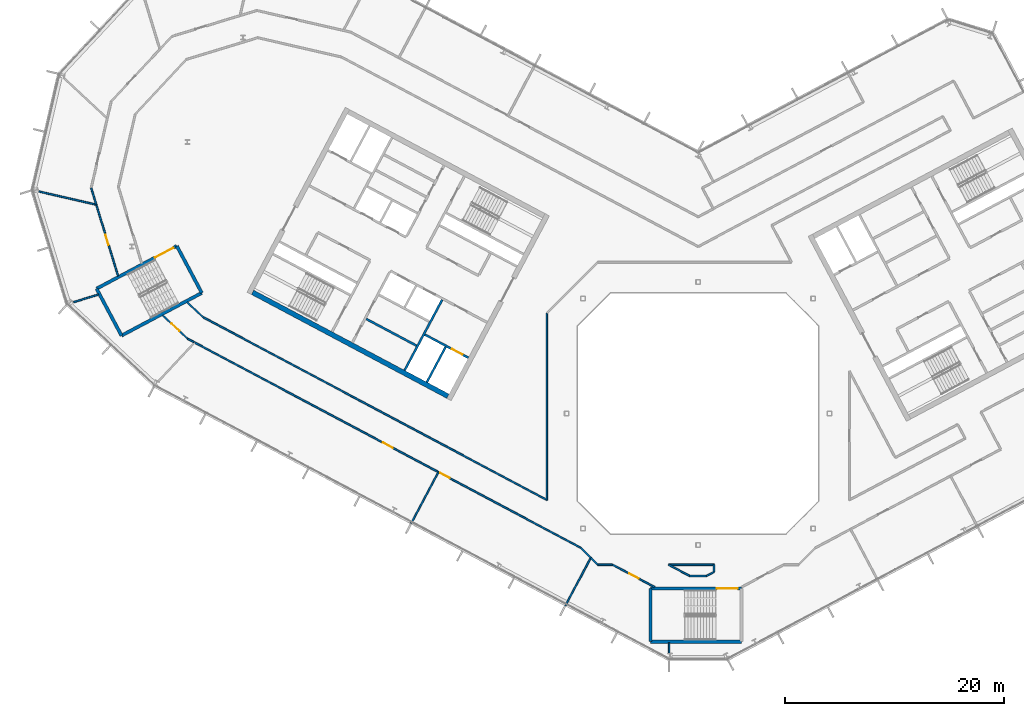
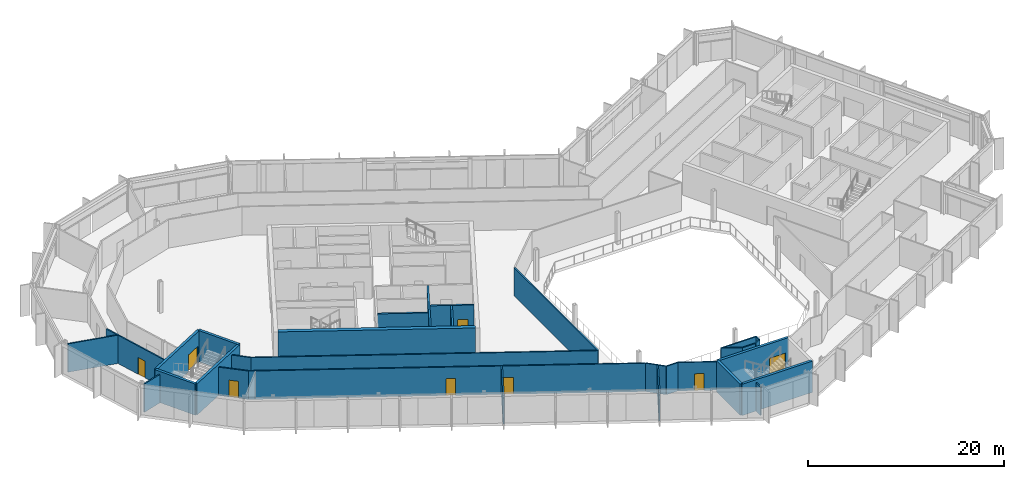
# One storey, part 13 of 26: 34 walls, 8 doors, 8 openings.
"""IFC4 building model written with IfcOpenShell, lengths in metres."""

from ifc_helpers import new_model, si_unit, direction, frame, frame_2d, origin, place, context, subcontext, project, spatial, rectangle, extrude, material, layer, layer_set, type_object, element, fill, save


model = new_model("IFC4")

# Units and contexts
model_context = context("Model", 3, precision=1e-05, world=origin(), true_north=direction((0.0, 1.0)))
body_context = subcontext(model_context, "Body", "Model", "MODEL_VIEW")
ifc_project = project(units=[si_unit("LENGTHUNIT", "METRE"), si_unit("AREAUNIT", "SQUARE_METRE"), si_unit("VOLUMEUNIT", "CUBIC_METRE"), si_unit("PLANEANGLEUNIT", "RADIAN"), si_unit("MASSUNIT", "GRAM", prefix="KILO")], contexts=[model_context])

# Site, building, storey
site_placement = place(None, origin())
site = spatial("IfcSite", under=ifc_project, at=site_placement, CompositionType="ELEMENT")
building_placement = place(site_placement, origin())
building = spatial("IfcBuilding", under=site, at=building_placement, Name="Cormorant Relay Tower", CompositionType="ELEMENT")
storey_placement = place(building_placement, frame((0.0, 0.0, 308.699951171875)))
storey = spatial("IfcBuildingStorey", under=building, at=storey_placement, Name="L70", CompositionType="ELEMENT", Elevation=308.699951171875)

# Walls
ifc_material_1 = material(Name="Concrete 40 MPa", Category="concrete")
ifc_layer_1 = layer(ifc_material_1, 0.199951171875)
ifc_layer_set_1 = layer_set([ifc_layer_1], Name="Core internal wall 200")
wall_type_1 = type_object("IfcWallType", Name="Core internal wall 200", PredefinedType="SOLIDWALL", material=ifc_layer_set_1)
wall_1_placement = place(storey_placement, frame((-25.701904296875, 6.19091796875, 0.0), z_axis=(0.0, 0.0, 1.0), x_axis=(-0.882934506056, 0.469496174655, 0.0)))
element("IfcWall", 1, at=wall_1_placement, inside=storey, type_object=wall_type_1, Name="L70 core A shaft and room wall", PredefinedType="SOLIDWALL", context=body_context, shape_type="SweptSolid", body=[
    extrude(rectangle(XDim=5.199951171875, YDim=0.199951171875, at=frame_2d((2.60009765625, 0.0))), origin(), (0.0, 0.0, 1.0), 3.900146484375),
])
ifc_material_2 = material(Name="Concrete 50 MPa", Category="concrete")
ifc_layer_2 = layer(ifc_material_2, 0.199951171875)
ifc_layer_set_2 = layer_set([ifc_layer_2], Name="Core shaft wall 200")
wall_type_2 = type_object("IfcWallType", Name="Core shaft wall 200", PredefinedType="SHEAR", material=ifc_layer_set_2)
wall_2_placement = place(storey_placement, frame((-23.04296875, 6.07958984375, 0.0), z_axis=(0.0, 0.0, 1.0), x_axis=(-0.469494272526, -0.882935517501, 0.0)))
element("IfcWall", 2, at=wall_2_placement, inside=storey, type_object=wall_type_2, Name="L70 core A shaft wall", PredefinedType="SHEAR", context=body_context, shape_type="SweptSolid", body=[
    extrude(rectangle(XDim=3.64990234375, YDim=0.199951171875, at=frame_2d((1.824951171875, 0.0))), origin(), (0.0, 0.0, 1.0), 3.900146484375),
])
wall_3_placement = place(storey_placement, frame((-23.360107421875, 10.38232421875, 0.0), z_axis=(0.0, 0.0, 1.0), x_axis=(-0.469480409012, -0.88294288918, 0.0)))
element("IfcWall", 3, at=wall_3_placement, inside=storey, type_object=wall_type_2, Name="L70 core A shaft wall", PredefinedType="SHEAR", context=body_context, shape_type="SweptSolid", body=[
    extrude(rectangle(XDim=7.300048828125, YDim=0.199951171875, at=frame_2d((3.64990234375, 0.0))), origin(), (0.0, 0.0, 1.0), 3.900146484375),
])

# Wall, opening, door
wall_4_placement = place(storey_placement, frame((-20.96533203125, 5.088134765625, 0.0), z_axis=(0.0, 0.0, 1.0), x_axis=(-0.882925986334, 0.469512196493, 0.0)))
wall_4 = element("IfcWall", 4, at=wall_4_placement, inside=storey, type_object=wall_type_2, Name="L70 core A shaft wall", PredefinedType="SHEAR", context=body_context, shape_type="SweptSolid", body=[
    extrude(rectangle(XDim=4.5, YDim=0.199951171875, at=frame_2d((2.25, 0.0))), origin(), (0.0, 0.0, 1.0), 3.900146484375),
])
opening_1_placement = place(wall_4_placement, frame((0.60009765625, 0.0, 0.0)))
opening_1 = element("IfcOpeningElement", 5, at=opening_1_placement, cuts=wall_4, Name="Opening LD1-063", PredefinedType="OPENING", context=body_context, shape_type="SweptSolid", body=[
    extrude(rectangle(XDim=1.10009765625, YDim=2.10009765625, at=frame_2d((0.550048828125, 1.050048828125))), frame((0.0, 0.10986328125, 0.0), z_axis=(0.0, -1.0, 0.0), x_axis=(1.0, 0.0, 0.0)), (0.0, 0.0, 1.0), 0.219970703125),
])
ifc_material_3 = material(Name="Stainless steel 316", Category="steel")
door_type_1 = type_object("IfcDoorType", Name="Lift landing door 1100x2100", OperationType="DOUBLE_DOOR_SLIDING", PredefinedType="DOOR", material=ifc_material_3)
door_1_placement = place(opening_1_placement, origin())
door_1 = element("IfcDoor", 6, at=door_1_placement, inside=storey, type_object=door_type_1, Name="FF1 landing door", OperationType="DOUBLE_DOOR_SLIDING", OverallHeight=2.10009765625, OverallWidth=1.10009765625, PredefinedType="DOOR", context=body_context, shape_type="SweptSolid", body=[
    extrude(rectangle(XDim=1.10009765625, YDim=2.10009765625, at=frame_2d((0.550048828125, 1.050048828125))), frame((0.0, 0.02490234375, 0.0), z_axis=(0.0, -1.0, 0.0), x_axis=(1.0, 0.0, 0.0)), (0.0, 0.0, 1.0), 0.050048828125),
])
fill(opening_1, door_1)

# Walls
ifc_material_4 = material(Name="Concrete 50 MPa", Category="concrete")
ifc_layer_3 = layer(ifc_material_4, 0.449951171875)
ifc_layer_set_3 = layer_set([ifc_layer_3], Name="Core wall 450")
wall_type_3 = type_object("IfcWallType", Name="Core wall 450", PredefinedType="SHEAR", material=ifc_layer_set_3)
wall_5_placement = place(storey_placement, frame((-22.83154296875, 1.578369140625, 0.0), z_axis=(0.0, 0.0, 1.0), x_axis=(-0.88294509198, 0.469476266226, 0.0)))
element("IfcWall", 7, at=wall_5_placement, inside=storey, type_object=wall_type_3, Name="L70 core A wall", PredefinedType="SHEAR", context=body_context, shape_type="SweptSolid", body=[
    extrude(rectangle(XDim=20.199951171875, YDim=0.449951171875, at=frame_2d((10.10009765625, 0.0))), origin(), (0.0, 0.0, 1.0), 3.900146484375),
])
ifc_material_5 = material(Name="Gypsum board fire partition")
ifc_layer_4 = layer(ifc_material_5, 0.14990234375)
ifc_layer_set_4 = layer_set([ifc_layer_4], Name="Corridor partition 150 EI 60")
wall_type_4 = type_object("IfcWallType", Name="Corridor partition 150 EI 60", PredefinedType="PARTITIONING", material=ifc_layer_set_4)
wall_6_placement = place(storey_placement, frame((-55.39111328125, 20.580078125, 0.0), z_axis=(0.0, 0.0, 1.0), x_axis=(0.292001611979, -0.956417826372, 0.0)))
element("IfcWall", 8, at=wall_6_placement, inside=storey, type_object=wall_type_4, Name="wall/L70/part/004", PredefinedType="PARTITIONING", context=body_context, shape_type="SweptSolid", body=[
    extrude(rectangle(XDim=1.57275390625, YDim=0.14990234375, at=frame_2d((0.786376953125, 0.0))), origin(), (0.0, 0.0, 1.0), 3.5400390625),
])

# Wall, opening, door
wall_7_placement = place(storey_placement, frame((-52.93701171875, 12.552001953125, 0.0), z_axis=(0.0, 0.0, 1.0), x_axis=(-0.292413096036, 0.956292100389, 0.0)))
wall_7 = element("IfcWall", 9, at=wall_7_placement, inside=storey, type_object=wall_type_4, Name="wall/L70/part/006", PredefinedType="PARTITIONING", context=body_context, shape_type="SweptSolid", body=[
    extrude(rectangle(XDim=6.822021484375, YDim=0.14990234375, at=frame_2d((3.4111328125, 0.0))), origin(), (0.0, 0.0, 1.0), 3.5400390625),
])
opening_2_placement = place(wall_7_placement, frame((2.949951171875, 0.0, 0.0)))
opening_2 = element("IfcOpeningElement", 10, at=opening_2_placement, cuts=wall_7, Name="Opening DS-253", PredefinedType="OPENING", context=body_context, shape_type="SweptSolid", body=[
    extrude(rectangle(XDim=1.0, YDim=2.10009765625, at=frame_2d((0.5, 1.050048828125))), frame((0.0, 0.0849609375, 0.0), z_axis=(0.0, -1.0, 0.0), x_axis=(1.0, 0.0, 0.0)), (0.0, 0.0, 1.0), 0.169921875),
])
ifc_material_6 = material(Name="Timber door leaf", Category="wood")
door_type_2 = type_object("IfcDoorType", Name="Suite door 1000x2100", OperationType="SINGLE_SWING_LEFT", PredefinedType="DOOR", material=ifc_material_6)
door_2_placement = place(opening_2_placement, origin())
door_2 = element("IfcDoor", 11, at=door_2_placement, inside=storey, type_object=door_type_2, Name="door/L70/012", OperationType="SINGLE_SWING_LEFT", OverallHeight=2.10009765625, OverallWidth=1.0, PredefinedType="DOOR", context=body_context, shape_type="SweptSolid", body=[
    extrude(rectangle(XDim=1.0, YDim=2.10009765625, at=frame_2d((0.5, 1.050048828125))), frame((0.0, 0.02490234375, 0.0), z_axis=(0.0, -1.0, 0.0), x_axis=(1.0, 0.0, 0.0)), (0.0, 0.0, 1.0), 0.050048828125),
])
fill(opening_2, door_2)

# Walls
wall_8_placement = place(storey_placement, frame((-13.800048828125, 9.159912109375, 0.0), z_axis=(0.0, 0.0, 1.0), x_axis=(0.0, -1.0, 0.0)))
element("IfcWall", 12, at=wall_8_placement, inside=storey, type_object=wall_type_4, Name="wall/L70/part/023", PredefinedType="PARTITIONING", context=body_context, shape_type="SweptSolid", body=[
    extrude(rectangle(XDim=17.054931640625, YDim=0.14990234375, at=frame_2d((8.52734375, 0.0))), origin(), (0.0, 0.0, 1.0), 3.5400390625),
])
wall_9_placement = place(storey_placement, frame((-13.800048828125, -7.89501953125, 0.0), z_axis=(0.0, 0.0, 1.0), x_axis=(-0.882949728524, 0.469467546161, 0.0)))
element("IfcWall", 13, at=wall_9_placement, inside=storey, type_object=wall_type_4, Name="wall/L70/part/024", PredefinedType="PARTITIONING", context=body_context, shape_type="SweptSolid", body=[
    extrude(rectangle(XDim=35.52734375, YDim=0.14990234375, at=frame_2d((17.763671875, 0.0))), origin(), (0.0, 0.0, 1.0), 3.5400390625),
])
wall_10_placement = place(storey_placement, frame((-45.1689453125, 8.783935546875, 0.0), z_axis=(0.0, 0.0, 1.0), x_axis=(-0.731546653506, 0.681791385795, 0.0)))
element("IfcWall", 14, at=wall_10_placement, inside=storey, type_object=wall_type_4, Name="wall/L70/part/025", PredefinedType="PARTITIONING", context=body_context, shape_type="SweptSolid", body=[
    extrude(rectangle(XDim=2.031494140625, YDim=0.14990234375, at=frame_2d((1.015625, 0.0))), origin(), (0.0, 0.0, 1.0), 3.5400390625),
])
wall_11_placement = place(storey_placement, frame((-45.9970703125, 6.506103515625, 0.0), z_axis=(0.0, 0.0, 1.0), x_axis=(-0.883188174281, 0.469018814986, 0.0)))
element("IfcWall", 15, at=wall_11_placement, inside=storey, type_object=wall_type_4, Name="wall/L70/part/031", PredefinedType="PARTITIONING", context=body_context, shape_type="SweptSolid", body=[
    extrude(rectangle(XDim=0.654296875, YDim=0.14990234375, at=frame_2d((0.3271484375, 0.0))), origin(), (0.0, 0.0, 1.0), 3.5400390625),
])

# Wall, opening, door
wall_12_placement = place(storey_placement, frame((-46.574951171875, 6.81298828125, 0.0), z_axis=(0.0, 0.0, 1.0), x_axis=(-0.731111550609, 0.682257942839, 0.0)))
wall_12 = element("IfcWall", 16, at=wall_12_placement, inside=storey, type_object=wall_type_4, Name="wall/L70/part/032", PredefinedType="PARTITIONING", context=body_context, shape_type="SweptSolid", body=[
    extrude(rectangle(XDim=3.17333984375, YDim=0.14990234375, at=frame_2d((1.586669921875, 0.0))), origin(), (0.0, 0.0, 1.0), 3.5400390625),
])
opening_3_placement = place(wall_12_placement, frame((1.050048828125, 0.0, 0.0)))
opening_3 = element("IfcOpeningElement", 17, at=opening_3_placement, cuts=wall_12, Name="Opening DS-254", PredefinedType="OPENING", context=body_context, shape_type="SweptSolid", body=[
    extrude(rectangle(XDim=1.0, YDim=2.10009765625, at=frame_2d((0.5, 1.050048828125))), frame((0.0, 0.0849609375, 0.0), z_axis=(0.0, -1.0, 0.0), x_axis=(1.0, 0.0, 0.0)), (0.0, 0.0, 1.0), 0.169921875),
])
door_3_placement = place(opening_3_placement, origin())
door_3 = element("IfcDoor", 18, at=door_3_placement, inside=storey, type_object=door_type_2, Name="door/L70/013", OperationType="SINGLE_SWING_RIGHT", OverallHeight=2.10009765625, OverallWidth=1.0, PredefinedType="DOOR", context=body_context, shape_type="SweptSolid", body=[
    extrude(rectangle(XDim=1.0, YDim=2.10009765625, at=frame_2d((0.5, 1.050048828125))), frame((0.0, 0.02490234375, 0.0), z_axis=(0.0, -1.0, 0.0), x_axis=(1.0, 0.0, 0.0)), (0.0, 0.0, 1.0), 0.050048828125),
])
fill(opening_3, door_3)

# Wall, openings, doors
wall_13_placement = place(storey_placement, frame((-10.695068359375, -12.263916015625, 0.0), z_axis=(0.0, 0.0, 1.0), x_axis=(-0.882951614076, 0.469463999899, 0.0)))
wall_13 = element("IfcWall", 19, at=wall_13_placement, inside=storey, type_object=wall_type_4, Name="wall/L70/part/033", PredefinedType="PARTITIONING", context=body_context, shape_type="SweptSolid", body=[
    extrude(rectangle(XDim=39.981689453125, YDim=0.14990234375, at=frame_2d((19.99072265625, 0.0))), origin(), (0.0, 0.0, 1.0), 3.5400390625),
])
opening_4_placement = place(wall_13_placement, frame((19.449951171875, 0.0, 0.0)))
opening_4 = element("IfcOpeningElement", 20, at=opening_4_placement, cuts=wall_13, Name="Opening DS-255", PredefinedType="OPENING", context=body_context, shape_type="SweptSolid", body=[
    extrude(rectangle(XDim=1.0, YDim=2.10009765625, at=frame_2d((0.5, 1.050048828125))), frame((0.0, 0.0849609375, 0.0), z_axis=(0.0, -1.0, 0.0), x_axis=(1.0, 0.0, 0.0)), (0.0, 0.0, 1.0), 0.169921875),
])
opening_5_placement = place(wall_13_placement, frame((13.550048828125, 0.0, 0.0)))
opening_5 = element("IfcOpeningElement", 21, at=opening_5_placement, cuts=wall_13, Name="Opening DS-256", PredefinedType="OPENING", context=body_context, shape_type="SweptSolid", body=[
    extrude(rectangle(XDim=1.0, YDim=2.10009765625, at=frame_2d((0.5, 1.050048828125))), frame((0.0, 0.0849609375, 0.0), z_axis=(0.0, -1.0, 0.0), x_axis=(1.0, 0.0, 0.0)), (0.0, 0.0, 1.0), 0.169921875),
])
door_4_placement = place(opening_4_placement, origin())
door_4 = element("IfcDoor", 22, at=door_4_placement, inside=storey, type_object=door_type_2, Name="door/L70/014", OperationType="SINGLE_SWING_LEFT", OverallHeight=2.10009765625, OverallWidth=1.0, PredefinedType="DOOR", context=body_context, shape_type="SweptSolid", body=[
    extrude(rectangle(XDim=1.0, YDim=2.10009765625, at=frame_2d((0.5, 1.050048828125))), frame((0.0, 0.02490234375, 0.0), z_axis=(0.0, -1.0, 0.0), x_axis=(1.0, 0.0, 0.0)), (0.0, 0.0, 1.0), 0.050048828125),
])
fill(opening_4, door_4)
door_5_placement = place(opening_5_placement, origin())
door_5 = element("IfcDoor", 23, at=door_5_placement, inside=storey, type_object=door_type_2, Name="door/L70/015", OperationType="SINGLE_SWING_RIGHT", OverallHeight=2.10009765625, OverallWidth=1.0, PredefinedType="DOOR", context=body_context, shape_type="SweptSolid", body=[
    extrude(rectangle(XDim=1.0, YDim=2.10009765625, at=frame_2d((0.5, 1.050048828125))), frame((0.0, 0.02490234375, 0.0), z_axis=(0.0, -1.0, 0.0), x_axis=(1.0, 0.0, 0.0)), (0.0, 0.0, 1.0), 0.050048828125),
])
fill(opening_5, door_5)

# Walls
wall_14_placement = place(storey_placement, frame((-9.784912109375, -13.175048828125, 0.0), z_axis=(0.0, 0.0, 1.0), x_axis=(-0.706727533866, 0.707485825212, 0.0)))
element("IfcWall", 24, at=wall_14_placement, inside=storey, type_object=wall_type_4, Name="wall/L70/part/045", PredefinedType="PARTITIONING", context=body_context, shape_type="SweptSolid", body=[
    extrude(rectangle(XDim=1.287841796875, YDim=0.14990234375, at=frame_2d((0.64404296875, 0.0))), origin(), (0.0, 0.0, 1.0), 3.5400390625),
])
wall_15_placement = place(storey_placement, frame((-7.827880859375, -13.800048828125, 0.0), z_axis=(0.0, 0.0, 1.0), x_axis=(-1.0, 0.0, 0.0)))
element("IfcWall", 25, at=wall_15_placement, inside=storey, type_object=wall_type_4, Name="wall/L70/part/046", PredefinedType="PARTITIONING", context=body_context, shape_type="SweptSolid", body=[
    extrude(rectangle(XDim=1.33203125, YDim=0.14990234375, at=frame_2d((0.666015625, 0.0))), origin(), (0.0, 0.0, 1.0), 3.5400390625),
])
wall_16_placement = place(storey_placement, frame((-9.159912109375, -13.800048828125, 0.0), z_axis=(0.0, 0.0, 1.0), x_axis=(-0.707106781187, 0.707106781187, 0.0)))
element("IfcWall", 26, at=wall_16_placement, inside=storey, type_object=wall_type_4, Name="wall/L70/part/047", PredefinedType="PARTITIONING", context=body_context, shape_type="SweptSolid", body=[
    extrude(rectangle(XDim=0.8837890625, YDim=0.14990234375, at=frame_2d((0.44189453125, 0.0))), origin(), (0.0, 0.0, 1.0), 3.5400390625),
])

# Wall, opening, door
wall_17_placement = place(storey_placement, frame((-3.955078125, -15.847900390625, 0.0), z_axis=(0.0, 0.0, 1.0), x_axis=(-0.882965680306, 0.469437543665, 0.0)))
wall_17 = element("IfcWall", 27, at=wall_17_placement, inside=storey, type_object=wall_type_4, Name="wall/L70/part/048", PredefinedType="PARTITIONING", context=body_context, shape_type="SweptSolid", body=[
    extrude(rectangle(XDim=4.3623046875, YDim=0.14990234375, at=frame_2d((2.18115234375, 0.0))), origin(), (0.0, 0.0, 1.0), 3.5400390625),
])
opening_6_placement = place(wall_17_placement, frame((1.64990234375, 0.0, 0.0)))
opening_6 = element("IfcOpeningElement", 28, at=opening_6_placement, cuts=wall_17, Name="Opening DS-257", PredefinedType="OPENING", context=body_context, shape_type="SweptSolid", body=[
    extrude(rectangle(XDim=1.0, YDim=2.10009765625, at=frame_2d((0.5, 1.050048828125))), frame((0.0, 0.0849609375, 0.0), z_axis=(0.0, -1.0, 0.0), x_axis=(1.0, 0.0, 0.0)), (0.0, 0.0, 1.0), 0.169921875),
])
door_6_placement = place(opening_6_placement, origin())
door_6 = element("IfcDoor", 29, at=door_6_placement, inside=storey, type_object=door_type_2, Name="door/L70/016", OperationType="SINGLE_SWING_LEFT", OverallHeight=2.10009765625, OverallWidth=1.0, PredefinedType="DOOR", context=body_context, shape_type="SweptSolid", body=[
    extrude(rectangle(XDim=1.0, YDim=2.10009765625, at=frame_2d((0.5, 1.050048828125))), frame((0.0, 0.02490234375, 0.0), z_axis=(0.0, -1.0, 0.0), x_axis=(1.0, 0.0, 0.0)), (0.0, 0.0, 1.0), 0.050048828125),
])
fill(opening_6, door_6)

# Walls
wall_18_placement = place(storey_placement, frame((-0.76611328125, -14.825927734375, 0.0), z_axis=(0.0, 0.0, 1.0), x_axis=(1.0, 0.0, 0.0)))
element("IfcWall", 30, at=wall_18_placement, inside=storey, type_object=wall_type_4, Name="wall/L70/part/067", PredefinedType="PARTITIONING", context=body_context, shape_type="SweptSolid", body=[
    extrude(rectangle(XDim=1.5322265625, YDim=0.14990234375, at=frame_2d((0.76611328125, 0.0))), origin(), (0.0, 0.0, 1.0), 3.5400390625),
])
wall_19_placement = place(storey_placement, frame((0.76611328125, -14.825927734375, 0.0), z_axis=(0.0, 0.0, 1.0), x_axis=(0.882727784354, 0.469884729194, 0.0)))
element("IfcWall", 31, at=wall_19_placement, inside=storey, type_object=wall_type_4, Name="wall/L70/part/068", PredefinedType="PARTITIONING", context=body_context, shape_type="SweptSolid", body=[
    extrude(rectangle(XDim=0.774658203125, YDim=0.14990234375, at=frame_2d((0.38720703125, 0.0))), origin(), (0.0, 0.0, 1.0), 3.5400390625),
])
wall_20_placement = place(storey_placement, frame((1.449951171875, -14.4619140625, 0.0), z_axis=(0.0, 0.0, 1.0), x_axis=(0.0, 1.0, 0.0)))
element("IfcWall", 32, at=wall_20_placement, inside=storey, type_object=wall_type_4, Name="wall/L70/part/069", PredefinedType="PARTITIONING", context=body_context, shape_type="SweptSolid", body=[
    extrude(rectangle(XDim=0.661865234375, YDim=0.14990234375, at=frame_2d((0.3310546875, 0.0))), origin(), (0.0, 0.0, 1.0), 3.5400390625),
])
wall_21_placement = place(storey_placement, frame((1.449951171875, -13.800048828125, 0.0), z_axis=(0.0, 0.0, 1.0), x_axis=(-1.0, 0.0, 0.0)))
element("IfcWall", 33, at=wall_21_placement, inside=storey, type_object=wall_type_4, Name="wall/L70/part/070", PredefinedType="PARTITIONING", context=body_context, shape_type="SweptSolid", body=[
    extrude(rectangle(XDim=4.14501953125, YDim=0.14990234375, at=frame_2d((2.072509765625, 0.0))), origin(), (0.0, 0.0, 1.0), 3.5400390625),
])
wall_22_placement = place(storey_placement, frame((-2.695068359375, -13.800048828125, 0.0), z_axis=(0.0, 0.0, 1.0), x_axis=(0.882902945881, -0.469555521908, 0.0)))
element("IfcWall", 34, at=wall_22_placement, inside=storey, type_object=wall_type_4, Name="wall/L70/part/071", PredefinedType="PARTITIONING", context=body_context, shape_type="SweptSolid", body=[
    extrude(rectangle(XDim=2.184814453125, YDim=0.14990234375, at=frame_2d((1.09228515625, 0.0))), origin(), (0.0, 0.0, 1.0), 3.5400390625),
])
ifc_material_7 = material(Name="Concrete 50 MPa", Category="concrete")
ifc_layer_5 = layer(ifc_material_7, 0.300048828125)
ifc_layer_set_5 = layer_set([ifc_layer_5], Name="Remote stair wall 300")
wall_type_5 = type_object("IfcWallType", Name="Remote stair wall 300", PredefinedType="SHEAR", material=ifc_layer_set_5)
wall_23_placement = place(storey_placement, frame((3.949951171875, -20.824951171875, 0.0), z_axis=(0.0, 0.0, 1.0), x_axis=(-1.0, 0.0, 0.0)))
element("IfcWall", 35, at=wall_23_placement, inside=storey, type_object=wall_type_5, Name="L70 exit stair RK1 wall", PredefinedType="SHEAR", context=body_context, shape_type="SweptSolid", body=[
    extrude(rectangle(XDim=8.300048828125, YDim=0.300048828125, at=frame_2d((4.14990234375, 0.0))), origin(), (0.0, 0.0, 1.0), 3.900146484375),
])
wall_24_placement = place(storey_placement, frame((-4.35009765625, -20.824951171875, 0.0), z_axis=(0.0, 0.0, 1.0), x_axis=(0.0, 1.0, 0.0)))
element("IfcWall", 36, at=wall_24_placement, inside=storey, type_object=wall_type_5, Name="L70 exit stair RK1 wall", PredefinedType="SHEAR", context=body_context, shape_type="SweptSolid", body=[
    extrude(rectangle(XDim=4.849853515625, YDim=0.300048828125, at=frame_2d((2.4248046875, 0.0))), origin(), (0.0, 0.0, 1.0), 3.900146484375),
])

# Wall, opening, door
wall_25_placement = place(storey_placement, frame((-4.35009765625, -15.97509765625, 0.0), z_axis=(0.0, 0.0, 1.0), x_axis=(1.0, 0.0, 0.0)))
wall_25 = element("IfcWall", 37, at=wall_25_placement, inside=storey, type_object=wall_type_5, Name="L70 exit stair RK1 wall", PredefinedType="SHEAR", context=body_context, shape_type="SweptSolid", body=[
    extrude(rectangle(XDim=8.300048828125, YDim=0.300048828125, at=frame_2d((4.14990234375, 0.0))), origin(), (0.0, 0.0, 1.0), 3.900146484375),
])
opening_7_placement = place(wall_25_placement, frame((6.050048828125, 0.0, 0.0)))
opening_7 = element("IfcOpeningElement", 38, at=opening_7_placement, cuts=wall_25, Name="Opening CDE-014", PredefinedType="OPENING", context=body_context, shape_type="SweptSolid", body=[
    extrude(rectangle(XDim=1.89990234375, YDim=2.10009765625, at=frame_2d((0.949951171875, 1.050048828125))), frame((0.0, 0.159912109375, 0.0), z_axis=(0.0, -1.0, 0.0), x_axis=(1.0, 0.0, 0.0)), (0.0, 0.0, 1.0), 0.320068359375),
])
ifc_material_8 = material(Name="Steel fire door", Category="steel")
door_type_3 = type_object("IfcDoorType", Name="Remote stair door 1900x2100", OperationType="DOUBLE_DOOR_SINGLE_SWING", PredefinedType="DOOR", material=ifc_material_8)
door_7_placement = place(opening_7_placement, frame((1.89990234375, 0.0, 0.0), z_axis=(0.0, 0.0, 1.0), x_axis=(-1.0, 0.0, 0.0)))
door_7 = element("IfcDoor", 39, at=door_7_placement, inside=storey, type_object=door_type_3, Name="Exit stair RK1 door", OperationType="DOUBLE_DOOR_SINGLE_SWING", OverallHeight=2.10009765625, OverallWidth=1.89990234375, PredefinedType="DOOR", context=body_context, shape_type="SweptSolid", body=[
    extrude(rectangle(XDim=1.89990234375, YDim=2.10009765625, at=frame_2d((0.949951171875, 1.050048828125))), frame((0.0, 0.02490234375, 0.0), z_axis=(0.0, -1.0, 0.0), x_axis=(1.0, 0.0, 0.0)), (0.0, 0.0, 1.0), 0.050048828125),
])
fill(opening_7, door_7)

# Walls
wall_26_placement = place(storey_placement, frame((-47.57421875, 15.28955078125, 0.0), z_axis=(0.0, 0.0, 1.0), x_axis=(0.469443498566, -0.882962514297, 0.0)))
element("IfcWall", 40, at=wall_26_placement, inside=storey, type_object=wall_type_5, Name="L70 exit stair RP1 wall", PredefinedType="SHEAR", context=body_context, shape_type="SweptSolid", body=[
    extrude(rectangle(XDim=4.85009765625, YDim=0.300048828125, at=frame_2d((2.425048828125, 0.0))), origin(), (0.0, 0.0, 1.0), 3.900146484375),
])
wall_27_placement = place(storey_placement, frame((-45.29736328125, 11.007080078125, 0.0), z_axis=(0.0, 0.0, 1.0), x_axis=(-0.882951519127, -0.469464178475, 0.0)))
element("IfcWall", 41, at=wall_27_placement, inside=storey, type_object=wall_type_5, Name="L70 exit stair RP1 wall", PredefinedType="SHEAR", context=body_context, shape_type="SweptSolid", body=[
    extrude(rectangle(XDim=8.2998046875, YDim=0.300048828125, at=frame_2d((4.14990234375, 0.0))), origin(), (0.0, 0.0, 1.0), 3.900146484375),
])
wall_28_placement = place(storey_placement, frame((-52.625732421875, 7.110595703125, 0.0), z_axis=(0.0, 0.0, 1.0), x_axis=(-0.469464364128, 0.882951420416, 0.0)))
element("IfcWall", 42, at=wall_28_placement, inside=storey, type_object=wall_type_5, Name="L70 exit stair RP1 wall", PredefinedType="SHEAR", context=body_context, shape_type="SweptSolid", body=[
    extrude(rectangle(XDim=4.849853515625, YDim=0.300048828125, at=frame_2d((2.4248046875, 0.0))), origin(), (0.0, 0.0, 1.0), 3.900146484375),
])

# Wall, opening, door
wall_29_placement = place(storey_placement, frame((-54.902587890625, 11.392822265625, 0.0), z_axis=(0.0, 0.0, 1.0), x_axis=(0.882939326045, 0.469487110071, 0.0)))
wall_29 = element("IfcWall", 43, at=wall_29_placement, inside=storey, type_object=wall_type_5, Name="L70 exit stair RP1 wall", PredefinedType="SHEAR", context=body_context, shape_type="SweptSolid", body=[
    extrude(rectangle(XDim=8.300048828125, YDim=0.300048828125, at=frame_2d((4.14990234375, 0.0))), origin(), (0.0, 0.0, 1.0), 3.900146484375),
])
opening_8_placement = place(wall_29_placement, frame((6.050048828125, 0.0, 0.0)))
opening_8 = element("IfcOpeningElement", 44, at=opening_8_placement, cuts=wall_29, Name="Opening CDE-015", PredefinedType="OPENING", context=body_context, shape_type="SweptSolid", body=[
    extrude(rectangle(XDim=1.89990234375, YDim=2.10009765625, at=frame_2d((0.949951171875, 1.050048828125))), frame((0.0, 0.159912109375, 0.0), z_axis=(0.0, -1.0, 0.0), x_axis=(1.0, 0.0, 0.0)), (0.0, 0.0, 1.0), 0.320068359375),
])
door_8_placement = place(opening_8_placement, frame((1.89990234375, 0.0, 0.0), z_axis=(0.0, 0.0, 1.0), x_axis=(-1.0, 0.0, 0.0)))
door_8 = element("IfcDoor", 45, at=door_8_placement, inside=storey, type_object=door_type_3, Name="Exit stair RP1 door", OperationType="DOUBLE_DOOR_SINGLE_SWING", OverallHeight=2.10009765625, OverallWidth=1.89990234375, PredefinedType="DOOR", context=body_context, shape_type="SweptSolid", body=[
    extrude(rectangle(XDim=1.89990234375, YDim=2.10009765625, at=frame_2d((0.949951171875, 1.050048828125))), frame((0.0, 0.02490234375, 0.0), z_axis=(0.0, -1.0, 0.0), x_axis=(1.0, 0.0, 0.0)), (0.0, 0.0, 1.0), 0.050048828125),
])
fill(opening_8, door_8)

# Walls
ifc_material_9 = material(Name="Gypsum board partition")
ifc_layer_6 = layer(ifc_material_9, 0.14990234375)
ifc_layer_set_6 = layer_set([ifc_layer_6], Name="Tenant partition 150")
wall_type_6 = type_object("IfcWallType", Name="Tenant partition 150", PredefinedType="PARTITIONING", material=ifc_layer_set_6)
wall_30_placement = place(storey_placement, frame((-54.926025390625, 19.055908203125, 0.0), z_axis=(0.0, 0.0, 1.0), x_axis=(-0.974353783865, 0.225021563117, 0.0)))
element("IfcWall", 46, at=wall_30_placement, inside=storey, type_object=wall_type_6, Name="wall/L70/part/001", PredefinedType="PARTITIONING", context=body_context, shape_type="SweptSolid", body=[
    extrude(rectangle(XDim=5.39111328125, YDim=0.14990234375, at=frame_2d((2.695556640625, 0.0))), origin(), (0.0, 0.0, 1.0), 3.5400390625),
])
wall_31_placement = place(storey_placement, frame((-54.73193359375, 10.85693359375, 0.0), z_axis=(0.0, 0.0, 1.0), x_axis=(-0.956231519395, -0.292611143525, 0.0)))
element("IfcWall", 47, at=wall_31_placement, inside=storey, type_object=wall_type_6, Name="wall/L70/part/003", PredefinedType="PARTITIONING", context=body_context, shape_type="SweptSolid", body=[
    extrude(rectangle(XDim=2.385498046875, YDim=0.14990234375, at=frame_2d((1.19287109375, 0.0))), origin(), (0.0, 0.0, 1.0), 3.5400390625),
])
wall_32_placement = place(storey_placement, frame((-23.701904296875, -5.347900390625, 0.0), z_axis=(0.0, 0.0, 1.0), x_axis=(-0.469522163358, -0.882920686198, 0.0)))
element("IfcWall", 48, at=wall_32_placement, inside=storey, type_object=wall_type_6, Name="wall/L70/part/028", PredefinedType="PARTITIONING", context=body_context, shape_type="SweptSolid", body=[
    extrude(rectangle(XDim=5.3505859375, YDim=0.14990234375, at=frame_2d((2.67529296875, 0.0))), origin(), (0.0, 0.0, 1.0), 3.5400390625),
])
wall_33_placement = place(storey_placement, frame((-9.7939453125, -13.1650390625, 0.0), z_axis=(0.0, 0.0, 1.0), x_axis=(-0.469669090987, -0.882842536906, 0.0)))
element("IfcWall", 49, at=wall_33_placement, inside=storey, type_object=wall_type_6, Name="wall/L70/part/044", PredefinedType="PARTITIONING", context=body_context, shape_type="SweptSolid", body=[
    extrude(rectangle(XDim=4.978271484375, YDim=0.14990234375, at=frame_2d((2.4892578125, 0.0))), origin(), (0.0, 0.0, 1.0), 3.5400390625),
])
wall_34_placement = place(storey_placement, frame((-2.64892578125, -20.925048828125, 0.0), z_axis=(0.0, 0.0, 1.0), x_axis=(0.0, -1.0, 0.0)))
element("IfcWall", 50, at=wall_34_placement, inside=storey, type_object=wall_type_6, Name="wall/L70/part/049", PredefinedType="PARTITIONING", context=body_context, shape_type="SweptSolid", body=[
    extrude(rectangle(XDim=0.966064453125, YDim=0.14990234375, at=frame_2d((0.48291015625, 0.0))), origin(), (0.0, 0.0, 1.0), 3.5400390625),
])

save(model, "model.ifc")
